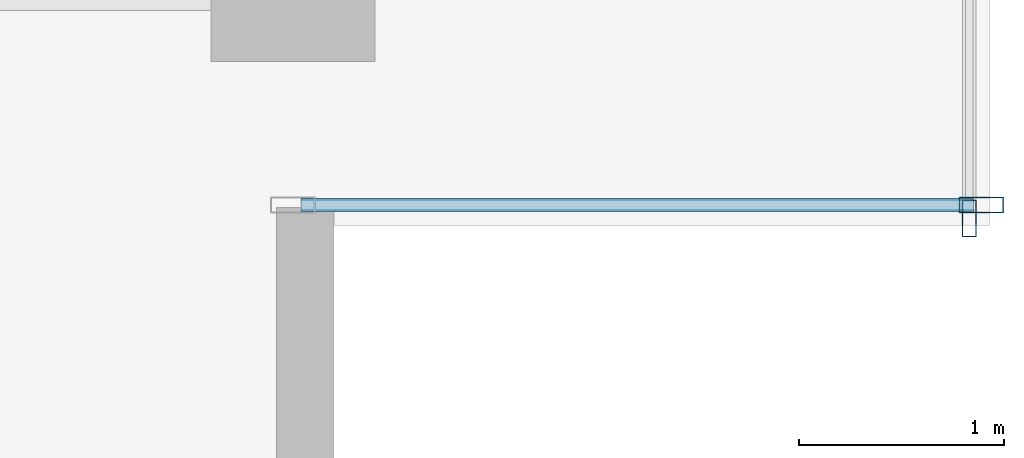
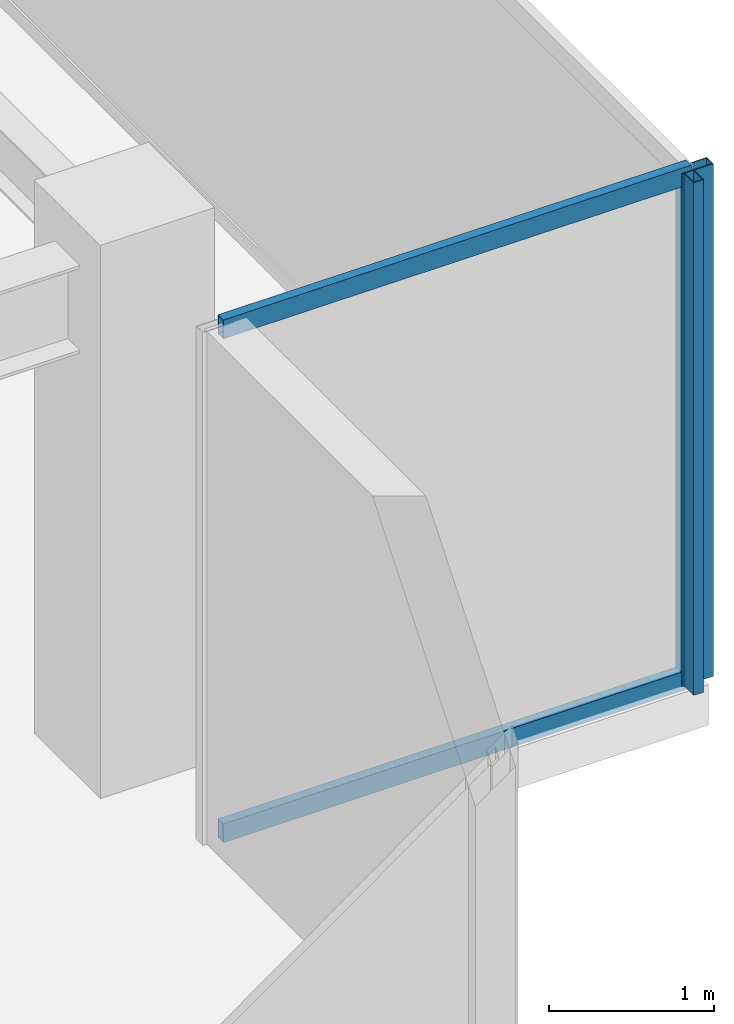
# One storey, part 22 of 33: 4 members, 2 elements without a shape of their own.
"""IFC4 building model written with IfcOpenShell, lengths in metres."""

import ifcopenshell
import ifcopenshell.guid

model = None  # the IFC model being written
_history = None  # IfcOwnerHistory: only IFC2X3 demands one
_inside = {}  # id of a spatial element -> (the spatial element, [elements in it])
_under = {}  # id of a project, library or spatial element -> (it, [spatial elements below it])
_declared = {}  # id of a project -> (the project, [libraries it declares])
_typed = {}  # id of a type object -> (the type object, [elements of that type])
_made_of = {}  # id of a material, layer set ... -> (it, [elements and type objects made of it])


def new_model(schema):
    """Start an empty IFC model of exactly this schema.

    Asked for "IFC4X3", IfcOpenShell would pick the latest addendum, in which some entities
    have other attributes; the version numbers below select the first issue.
    IFC2X3 requires an IfcOwnerHistory on every rooted entity: one is made here for all.
    """
    global model, _history
    if schema == "IFC4X3":
        model = ifcopenshell.file(schema_version=(4, 3, 0, 0))
    else:
        model = ifcopenshell.file(schema=schema)
    _inside.clear()
    _under.clear()
    _declared.clear()
    _typed.clear()
    _made_of.clear()
    _history = None
    if model.schema == "IFC2X3":
        org = make("IfcOrganization", Name="unknown")
        user = make(
            "IfcPersonAndOrganization",
            ThePerson=make("IfcPerson", FamilyName="unknown"),
            TheOrganization=org,
        )
        app = make(
            "IfcApplication",
            ApplicationDeveloper=org,
            Version="unknown",
            ApplicationFullName="unknown",
            ApplicationIdentifier="unknown",
        )
        _history = make(
            "IfcOwnerHistory",
            OwningUser=user,
            OwningApplication=app,
            ChangeAction="ADDED",
            CreationDate=0,
        )
    return model


def make(cls, **values):
    """One entity of the class cls with the attributes given. An attribute that is None is left unset."""
    return model.create_entity(
        cls, **{name: value for name, value in values.items() if value is not None}
    )


def rooted(cls, **values):
    """An entity with a GlobalId (a new one), such as an element, a storey or a relation."""
    return make(cls, GlobalId=ifcopenshell.guid.new(), OwnerHistory=_history, **values)


def si_unit(unit_type, name, prefix=None):
    """IfcSIUnit, for example si_unit("LENGTHUNIT", "METRE", prefix="MILLI")."""
    return make("IfcSIUnit", UnitType=unit_type, Prefix=prefix, Name=name)


def assignment(units):
    """IfcUnitAssignment: the units of a project."""
    return None if units is None else make("IfcUnitAssignment", Units=units)


def point(xyz):
    """IfcCartesianPoint."""
    return None if xyz is None else make("IfcCartesianPoint", Coordinates=xyz)


def direction(xyz):
    """IfcDirection."""
    return None if xyz is None else make("IfcDirection", DirectionRatios=xyz)


def frame(location, z_axis=None, x_axis=None):
    """IfcAxis2Placement3D, a coordinate frame: its origin and axes. An axis left out is left unset."""
    return make(
        "IfcAxis2Placement3D",
        Location=point(location),
        Axis=direction(z_axis),
        RefDirection=direction(x_axis),
    )


def frame_2d(location, x_axis=None):
    """IfcAxis2Placement2D, a coordinate frame in the plane: its origin and x axis."""
    return make(
        "IfcAxis2Placement2D", Location=point(location), RefDirection=direction(x_axis)
    )


def origin():
    """The frame at (0, 0, 0) with its axes left unset."""
    return frame((0.0, 0.0, 0.0))


def origin_2d():
    """The frame at (0, 0) in the plane with its x axis left unset."""
    return frame_2d((0.0, 0.0))


def place(relative_to, where):
    """IfcLocalPlacement: puts the frame where relative to a parent placement (None: the world)."""
    return make(
        "IfcLocalPlacement", PlacementRelTo=relative_to, RelativePlacement=where
    )


def context(
    kind, dimensions, precision=None, world=None, true_north=None, identifier=None
):
    """IfcGeometricRepresentationContext, for example the 3D "Model" context."""
    return make(
        "IfcGeometricRepresentationContext",
        ContextIdentifier=identifier,
        ContextType=kind,
        CoordinateSpaceDimension=dimensions,
        Precision=precision,
        WorldCoordinateSystem=world,
        TrueNorth=true_north,
    )


def subcontext(parent, identifier, kind, view, scale=None):
    """IfcGeometricRepresentationSubContext, for example "Body" below "Model"."""
    return make(
        "IfcGeometricRepresentationSubContext",
        ContextIdentifier=identifier,
        ContextType=kind,
        ParentContext=parent,
        TargetScale=scale,
        TargetView=view,
    )


def project(units=None, contexts=None):
    """IfcProject with its units and contexts."""
    return rooted(
        "IfcProject",
        Name="project",
        RepresentationContexts=contexts,
        UnitsInContext=assignment(units),
    )


def spatial(cls, under=None, at=None, **own):
    """A site, building, storey or space (cls), placed at a placement, below another one or the project."""
    s = rooted(cls, ObjectPlacement=at, **own)
    if under is not None:
        _under.setdefault(under.id(), (under, []))[1].append(s)
    return s


def profile(cls, at=None, kind="AREA", **sizes):
    """A parametric profile (cls). Its sizes go by their IFC names, for example OverallWidth=200.0."""
    return make(cls, ProfileType=kind, Position=at, **sizes)


def hollow_rectangle(**sizes):
    """IfcRectangleHollowProfileDef."""
    return profile("IfcRectangleHollowProfileDef", **sizes)


def extrude(swept, where, along, depth):
    """IfcExtrudedAreaSolid: the profile swept, set in the frame where, extruded along a direction by depth."""
    return make(
        "IfcExtrudedAreaSolid",
        SweptArea=swept,
        Position=where,
        ExtrudedDirection=direction(along),
        Depth=depth,
    )


def shape(context_of_items, identifier, shape_type, items):
    """IfcShapeRepresentation: the items that make up one representation, for example the "Body"."""
    return make(
        "IfcShapeRepresentation",
        ContextOfItems=context_of_items,
        RepresentationIdentifier=identifier,
        RepresentationType=shape_type,
        Items=items,
    )


def source(mapping_origin, context_of_items, identifier, shape_type, items):
    """IfcRepresentationMap: a shape defined once, which mapped items show again and again."""
    return make(
        "IfcRepresentationMap",
        MappingOrigin=mapping_origin,
        MappedRepresentation=shape(context_of_items, identifier, shape_type, items),
    )


def transform(
    local_origin,
    x_axis=None,
    y_axis=None,
    z_axis=None,
    scale=None,
    scale2=None,
    scale3=None,
    uniform=True,
):
    """IfcCartesianTransformationOperator3D, or its non-uniform kind. x_axis, y_axis, z_axis: its Axis1, 2, 3."""
    if uniform:
        return make(
            "IfcCartesianTransformationOperator3D",
            Axis1=direction(x_axis),
            Axis2=direction(y_axis),
            LocalOrigin=point(local_origin),
            Scale=scale,
            Axis3=direction(z_axis),
        )
    return make(
        "IfcCartesianTransformationOperator3DnonUniform",
        Axis1=direction(x_axis),
        Axis2=direction(y_axis),
        LocalOrigin=point(local_origin),
        Scale=scale,
        Axis3=direction(z_axis),
        Scale2=scale2,
        Scale3=scale3,
    )


def mapped(mapping_source, mapping_target):
    """IfcMappedItem: shows the shape of a source again, moved by a transform."""
    return make(
        "IfcMappedItem", MappingSource=mapping_source, MappingTarget=mapping_target
    )


def material(Name=None, Category=None):
    """IfcMaterial."""
    return make("IfcMaterial", Name=Name, Category=Category)


def layer(
    of_material, thickness, ventilated=None, Name=None, Category=None, Priority=None
):
    """IfcMaterialLayer: one layer of a wall or slab, of a material (None: an air gap)."""
    return make(
        "IfcMaterialLayer",
        Material=of_material,
        LayerThickness=thickness,
        IsVentilated=ventilated,
        Name=Name,
        Category=Category,
        Priority=Priority,
    )


def layer_set(layers, Name=None):
    """IfcMaterialLayerSet."""
    return make("IfcMaterialLayerSet", MaterialLayers=layers, LayerSetName=Name)


def material_profile(
    of_material, cross_section, Name=None, Category=None, Priority=None
):
    """IfcMaterialProfile: a cross section and its material."""
    return make(
        "IfcMaterialProfile",
        Name=Name,
        Material=of_material,
        Profile=cross_section,
        Priority=Priority,
        Category=Category,
    )


def profile_set(profiles, Name=None, composite=None):
    """IfcMaterialProfileSet."""
    return make(
        "IfcMaterialProfileSet",
        Name=Name,
        MaterialProfiles=profiles,
        CompositeProfile=composite,
    )


def made_of(thing, what):
    """Note that an element or type object is made of a material, layer set ...; save() writes the relation."""
    if what is not None:
        _made_of.setdefault(what.id(), (what, []))[1].append(thing)
    return thing


def type_object(cls, material=None, **own):
    """A type object (cls), such as IfcWallType, which elements share."""
    return made_of(rooted(cls, **own), material)


def type_shapes(of_type, sources):
    """Give a type object the sources (RepresentationMaps) that its elements show as mapped items."""
    of_type.RepresentationMaps = sources


def element(
    cls,
    number,
    at=None,
    inside=None,
    cuts=None,
    type_object=None,
    material=None,
    context=None,
    identifier="Body",
    shape_type=None,
    held_by="IfcProductDefinitionShape",
    body=None,
    shapes=None,
    **own,
):
    """One element of the class cls, such as IfcWall. Its Tag is "e" and its number.

    at: its placement. inside: the storey or other place that contains it. cuts: it is an
    opening in that element (IfcRelVoidsElement). A single representation is given by context,
    identifier, shape_type and body (its items); several are given by shapes. held_by: the class
    of the entity that holds the representations. save() writes the other relations.
    """
    e = rooted(cls, Tag="e%d" % number, ObjectPlacement=at, **own)
    if body is not None:
        shapes = [shape(context, identifier, shape_type, body)]
    if shapes is not None:
        e.Representation = make(held_by, Representations=shapes)
    if inside is not None:
        _inside.setdefault(inside.id(), (inside, []))[1].append(e)
    if cuts is not None:
        rooted(
            "IfcRelVoidsElement", RelatingBuildingElement=cuts, RelatedOpeningElement=e
        )
    if type_object is not None:
        _typed.setdefault(type_object.id(), (type_object, []))[1].append(e)
    return made_of(e, material)


def aggregate(whole, parts):
    """IfcRelAggregates: a whole, such as a stair, and the parts it consists of."""
    return rooted("IfcRelAggregates", RelatingObject=whole, RelatedObjects=parts)


def save(model, path):
    """Write the relations noted so far, then the file.

    IfcRelAggregates (storeys below a building ...), IfcRelContainedInSpatialStructure (elements
    in a storey), IfcRelDefinesByType, IfcRelAssociatesMaterial and IfcRelDeclares: one each for
    every whole, place, type object, material and project.
    """
    for whole, parts in _under.values():
        aggregate(whole, parts)
    for where, things in _inside.values():
        rooted(
            "IfcRelContainedInSpatialStructure",
            RelatedElements=things,
            RelatingStructure=where,
        )
    for kind, things in _typed.values():
        rooted("IfcRelDefinesByType", RelatedObjects=things, RelatingType=kind)
    for what, things in _made_of.values():
        rooted("IfcRelAssociatesMaterial", RelatedObjects=things, RelatingMaterial=what)
    for by, libraries in _declared.values():
        rooted("IfcRelDeclares", RelatingContext=by, RelatedDefinitions=libraries)
    model.write(path)


model = new_model("IFC4")

# Units and contexts
model_context = context("Model", 3, precision=1e-05, world=origin(), true_north=direction((0.0, 1.0)))
body_context = subcontext(model_context, "Body", "Model", "MODEL_VIEW")
ifc_project = project(units=[si_unit("LENGTHUNIT", "METRE"), si_unit("AREAUNIT", "SQUARE_METRE"), si_unit("VOLUMEUNIT", "CUBIC_METRE"), si_unit("PLANEANGLEUNIT", "RADIAN"), si_unit("MASSUNIT", "GRAM", prefix="KILO")], contexts=[model_context])

# Site, building, storey
site_placement = place(None, origin())
site = spatial("IfcSite", under=ifc_project, at=site_placement, CompositionType="ELEMENT")
building_placement = place(site_placement, origin())
building = spatial("IfcBuilding", under=site, at=building_placement, Name="Haelvirn Gate Laboratories", CompositionType="ELEMENT")
storey_placement = place(building_placement, frame((0.0, 0.0, 287.5)))
storey = spatial("IfcBuildingStorey", under=building, at=storey_placement, Name="L69", CompositionType="ELEMENT", Elevation=287.5)

# Curtain wall, members
ifc_material_1 = material(Name="Anodised bronze unitised aluminium & triple low-E glass", Category="aluminium")
ifc_layer_1 = layer(ifc_material_1, 0.181884765625, Name="CW-SYS-5")
ifc_layer_set_1 = layer_set([ifc_layer_1], Name="Anodised bronze unitised aluminium & triple low-E glass")
curtain_wall_type_1 = type_object("IfcCurtainWallType", Name="CW-SYS-5", PredefinedType="NOTDEFINED", material=ifc_layer_set_1)
curtain_wall_1_placement = place(storey_placement, origin())
curtain_wall_1 = element("IfcCurtainWall", 1, at=curtain_wall_1_placement, inside=storey, type_object=curtain_wall_type_1, Name="L69 Unitised Curtain Wall CW-L69-P0-E06-1", PredefinedType="NOTDEFINED")
ifc_material_2 = material(Name="Extruded aluminium 6063-T6 (anodised bronze)", Category="aluminium")
ifc_material_profile_1 = material_profile(ifc_material_2, hollow_rectangle(XDim=0.06494140625, YDim=0.139892578125, WallThickness=0.00390625, at=origin_2d()), Name="CWT-140x65x4")
ifc_profile_set_1 = profile_set([ifc_material_profile_1], Name="Extruded aluminium 6063-T6 (anodised bronze)")
member_type_1 = type_object("IfcMemberType", Name="CWT-T140", PredefinedType="USERDEFINED", material=ifc_profile_set_1)
shared_shape_1 = source(origin(), body_context, "Body", "SweptSolid", [
    extrude(hollow_rectangle(XDim=0.06494140625, YDim=0.139892578125, WallThickness=0.00390625, at=origin_2d()), origin(), (0.0, 0.0, 1.0), 3.280029296875),
])
type_shapes(member_type_1, [shared_shape_1])
member_1_placement = place(storey_placement, frame((67.43994140625, 5.89990234375, 0.032470703125), z_axis=(1.0, 0.0, 0.0), x_axis=(0.0, 1.0, 0.0)))
member_1 = element("IfcMember", 2, at=member_1_placement, type_object=member_type_1, Name="CW5 transom 1.1", ObjectType="TRANSOM", PredefinedType="USERDEFINED", context=body_context, shape_type="MappedRepresentation", body=[
    mapped(shared_shape_1, transform((0.0, 0.0, 0.0), scale=1.0)),
])
member_2_placement = place(storey_placement, frame((67.43994140625, 5.89990234375, 3.767578125), z_axis=(1.0, 0.0, 0.0), x_axis=(0.0, 1.0, 0.0)))
member_2 = element("IfcMember", 3, at=member_2_placement, type_object=member_type_1, Name="CW5 transom 1.2", ObjectType="TRANSOM", PredefinedType="USERDEFINED", context=body_context, shape_type="MappedRepresentation", body=[
    mapped(shared_shape_1, transform((0.0, 0.0, 0.0), scale=1.0)),
])

# Curtain wall, member
ifc_layer_2 = layer(ifc_material_1, 0.176025390625, Name="CW-SYS-4")
ifc_layer_set_2 = layer_set([ifc_layer_2], Name="Anodised bronze unitised aluminium & triple low-E glass")
curtain_wall_type_2 = type_object("IfcCurtainWallType", Name="CW-SYS-4", PredefinedType="NOTDEFINED", material=ifc_layer_set_2)
curtain_wall_2_placement = place(storey_placement, origin())
curtain_wall_2 = element("IfcCurtainWall", 4, at=curtain_wall_2_placement, inside=storey, type_object=curtain_wall_type_2, Name="L69 Unitised Curtain Wall CW-L69-P0-E07", PredefinedType="NOTDEFINED")
ifc_material_profile_2 = material_profile(ifc_material_2, hollow_rectangle(XDim=0.070068359375, YDim=0.179931640625, WallThickness=0.0048828125, at=origin_2d()), Name="CWM-180x70x5")
ifc_profile_set_2 = profile_set([ifc_material_profile_2], Name="Extruded aluminium 6063-T6 (anodised bronze)")
member_type_2 = type_object("IfcMemberType", Name="CWM-T180", PredefinedType="MULLION", material=ifc_profile_set_2)
shared_shape_2 = source(origin(), body_context, "Body", "SweptSolid", [
    extrude(hollow_rectangle(XDim=0.070068359375, YDim=0.179931640625, WallThickness=0.0048828125, at=origin_2d()), origin(), (0.0, 0.0, 1.0), 3.800048828125),
])
type_shapes(member_type_2, [shared_shape_2])
member_3_placement = place(storey_placement, frame((70.699951171875, 5.8349609375, 0.0), z_axis=(0.0, 0.0, 1.0), x_axis=(-1.0, 0.0, 0.0)))
member_3 = element("IfcMember", 5, at=member_3_placement, type_object=member_type_2, Name="CW4 mullion 1", PredefinedType="MULLION", context=body_context, shape_type="MappedRepresentation", body=[
    mapped(shared_shape_2, transform((0.0, 0.0, 0.0), scale=1.0)),
])
aggregate(curtain_wall_2, [member_3])

# Member
ifc_material_profile_3 = material_profile(ifc_material_2, hollow_rectangle(XDim=0.080078125, YDim=0.219970703125, WallThickness=0.006103515625, at=origin_2d()), Name="CWM-220x80x6")
ifc_profile_set_3 = profile_set([ifc_material_profile_3], Name="Extruded aluminium 6063-T6 (anodised bronze)")
member_type_3 = type_object("IfcMemberType", Name="CWM-T220", PredefinedType="MULLION", material=ifc_profile_set_3)
shared_shape_3 = source(origin(), body_context, "Body", "SweptSolid", [
    extrude(hollow_rectangle(XDim=0.080078125, YDim=0.219970703125, WallThickness=0.006103515625, at=origin_2d()), origin(), (0.0, 0.0, 1.0), 3.800048828125),
])
type_shapes(member_type_3, [shared_shape_3])
member_4_placement = place(storey_placement, frame((70.760009765625, 5.89990234375, 0.0), z_axis=(0.0, 0.0, 1.0), x_axis=(0.0, 1.0, 0.0)))
member_4 = element("IfcMember", 6, at=member_4_placement, type_object=member_type_3, Name="CW5 mullion 2", PredefinedType="MULLION", context=body_context, shape_type="MappedRepresentation", body=[
    mapped(shared_shape_3, transform((0.0, 0.0, 0.0), scale=1.0)),
])

aggregate(curtain_wall_1, [member_4, member_1, member_2])

save(model, "model.ifc")
